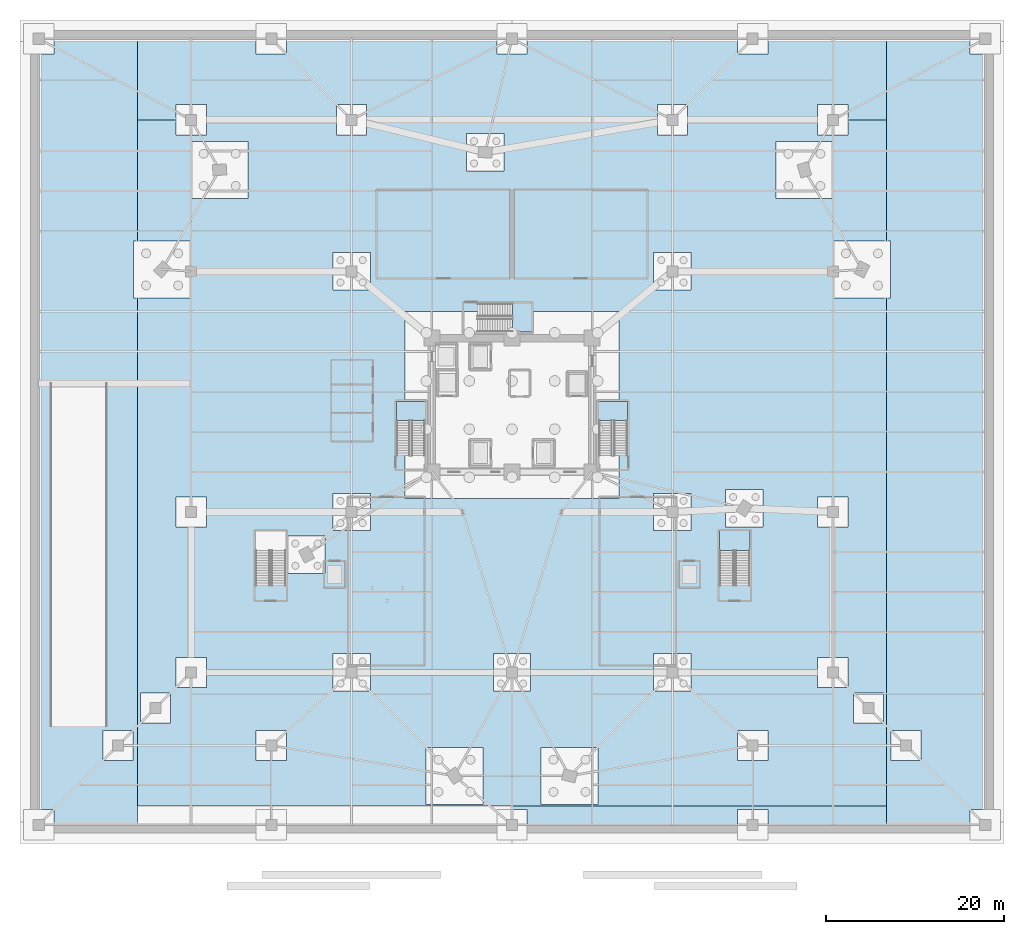
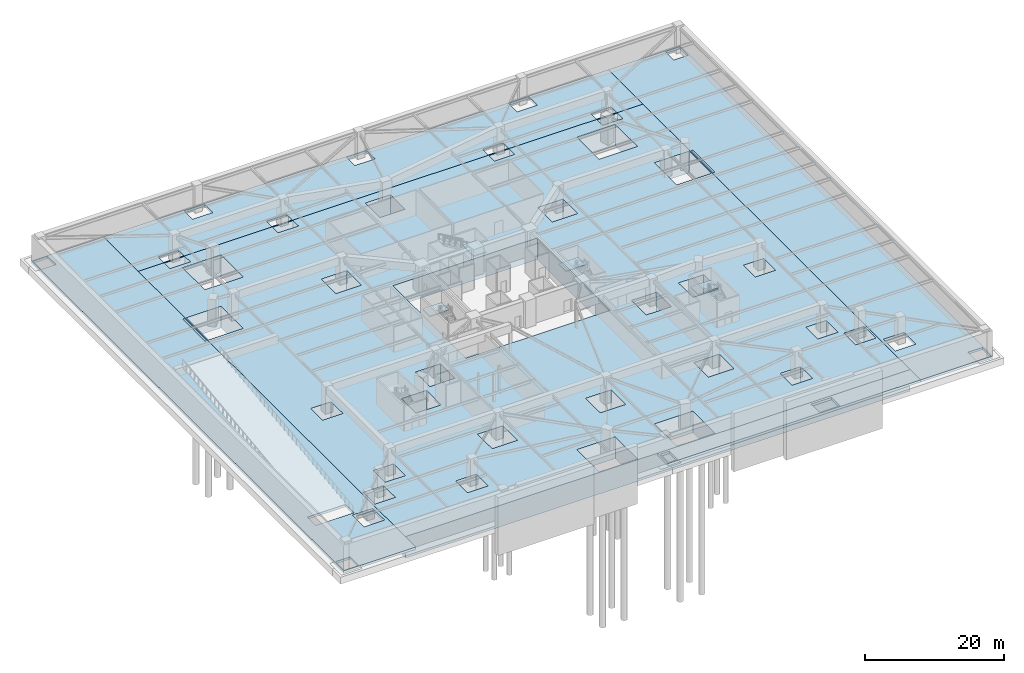
# One storey, part 7 of 19: 9 slabs, 4 elements without a shape of their own.
"""IFC4 building model written with IfcOpenShell, lengths in metres."""

import ifcopenshell
import ifcopenshell.guid

model = None  # the IFC model being written
_history = None  # IfcOwnerHistory: only IFC2X3 demands one
_inside = {}  # id of a spatial element -> (the spatial element, [elements in it])
_under = {}  # id of a project, library or spatial element -> (it, [spatial elements below it])
_declared = {}  # id of a project -> (the project, [libraries it declares])
_typed = {}  # id of a type object -> (the type object, [elements of that type])
_made_of = {}  # id of a material, layer set ... -> (it, [elements and type objects made of it])


def new_model(schema):
    """Start an empty IFC model of exactly this schema.

    Asked for "IFC4X3", IfcOpenShell would pick the latest addendum, in which some entities
    have other attributes; the version numbers below select the first issue.
    IFC2X3 requires an IfcOwnerHistory on every rooted entity: one is made here for all.
    """
    global model, _history
    if schema == "IFC4X3":
        model = ifcopenshell.file(schema_version=(4, 3, 0, 0))
    else:
        model = ifcopenshell.file(schema=schema)
    _inside.clear()
    _under.clear()
    _declared.clear()
    _typed.clear()
    _made_of.clear()
    _history = None
    if model.schema == "IFC2X3":
        org = make("IfcOrganization", Name="unknown")
        user = make(
            "IfcPersonAndOrganization",
            ThePerson=make("IfcPerson", FamilyName="unknown"),
            TheOrganization=org,
        )
        app = make(
            "IfcApplication",
            ApplicationDeveloper=org,
            Version="unknown",
            ApplicationFullName="unknown",
            ApplicationIdentifier="unknown",
        )
        _history = make(
            "IfcOwnerHistory",
            OwningUser=user,
            OwningApplication=app,
            ChangeAction="ADDED",
            CreationDate=0,
        )
    return model


def make(cls, **values):
    """One entity of the class cls with the attributes given. An attribute that is None is left unset."""
    return model.create_entity(
        cls, **{name: value for name, value in values.items() if value is not None}
    )


def rooted(cls, **values):
    """An entity with a GlobalId (a new one), such as an element, a storey or a relation."""
    return make(cls, GlobalId=ifcopenshell.guid.new(), OwnerHistory=_history, **values)


def si_unit(unit_type, name, prefix=None):
    """IfcSIUnit, for example si_unit("LENGTHUNIT", "METRE", prefix="MILLI")."""
    return make("IfcSIUnit", UnitType=unit_type, Prefix=prefix, Name=name)


def assignment(units):
    """IfcUnitAssignment: the units of a project."""
    return None if units is None else make("IfcUnitAssignment", Units=units)


def point(xyz):
    """IfcCartesianPoint."""
    return None if xyz is None else make("IfcCartesianPoint", Coordinates=xyz)


def direction(xyz):
    """IfcDirection."""
    return None if xyz is None else make("IfcDirection", DirectionRatios=xyz)


def frame(location, z_axis=None, x_axis=None):
    """IfcAxis2Placement3D, a coordinate frame: its origin and axes. An axis left out is left unset."""
    return make(
        "IfcAxis2Placement3D",
        Location=point(location),
        Axis=direction(z_axis),
        RefDirection=direction(x_axis),
    )


def origin():
    """The frame at (0, 0, 0) with its axes left unset."""
    return frame((0.0, 0.0, 0.0))


def place(relative_to, where):
    """IfcLocalPlacement: puts the frame where relative to a parent placement (None: the world)."""
    return make(
        "IfcLocalPlacement", PlacementRelTo=relative_to, RelativePlacement=where
    )


def context(
    kind, dimensions, precision=None, world=None, true_north=None, identifier=None
):
    """IfcGeometricRepresentationContext, for example the 3D "Model" context."""
    return make(
        "IfcGeometricRepresentationContext",
        ContextIdentifier=identifier,
        ContextType=kind,
        CoordinateSpaceDimension=dimensions,
        Precision=precision,
        WorldCoordinateSystem=world,
        TrueNorth=true_north,
    )


def subcontext(parent, identifier, kind, view, scale=None):
    """IfcGeometricRepresentationSubContext, for example "Body" below "Model"."""
    return make(
        "IfcGeometricRepresentationSubContext",
        ContextIdentifier=identifier,
        ContextType=kind,
        ParentContext=parent,
        TargetScale=scale,
        TargetView=view,
    )


def project(units=None, contexts=None):
    """IfcProject with its units and contexts."""
    return rooted(
        "IfcProject",
        Name="project",
        RepresentationContexts=contexts,
        UnitsInContext=assignment(units),
    )


def spatial(cls, under=None, at=None, **own):
    """A site, building, storey or space (cls), placed at a placement, below another one or the project."""
    s = rooted(cls, ObjectPlacement=at, **own)
    if under is not None:
        _under.setdefault(under.id(), (under, []))[1].append(s)
    return s


def polyline(points):
    """IfcPolyline through the points."""
    return make("IfcPolyline", Points=[point(p) for p in points])


def outline(outer, holes=None, kind="AREA"):
    """IfcArbitraryClosedProfileDef: a profile drawn as a closed curve; with holes, ...WithVoids."""
    if holes is None:
        return make("IfcArbitraryClosedProfileDef", ProfileType=kind, OuterCurve=outer)
    return make(
        "IfcArbitraryProfileDefWithVoids",
        ProfileType=kind,
        OuterCurve=outer,
        InnerCurves=holes,
    )


def extrude(swept, where, along, depth):
    """IfcExtrudedAreaSolid: the profile swept, set in the frame where, extruded along a direction by depth."""
    return make(
        "IfcExtrudedAreaSolid",
        SweptArea=swept,
        Position=where,
        ExtrudedDirection=direction(along),
        Depth=depth,
    )


def shape(context_of_items, identifier, shape_type, items):
    """IfcShapeRepresentation: the items that make up one representation, for example the "Body"."""
    return make(
        "IfcShapeRepresentation",
        ContextOfItems=context_of_items,
        RepresentationIdentifier=identifier,
        RepresentationType=shape_type,
        Items=items,
    )


def material(Name=None, Category=None):
    """IfcMaterial."""
    return make("IfcMaterial", Name=Name, Category=Category)


def layer(
    of_material, thickness, ventilated=None, Name=None, Category=None, Priority=None
):
    """IfcMaterialLayer: one layer of a wall or slab, of a material (None: an air gap)."""
    return make(
        "IfcMaterialLayer",
        Material=of_material,
        LayerThickness=thickness,
        IsVentilated=ventilated,
        Name=Name,
        Category=Category,
        Priority=Priority,
    )


def layer_set(layers, Name=None):
    """IfcMaterialLayerSet."""
    return make("IfcMaterialLayerSet", MaterialLayers=layers, LayerSetName=Name)


def made_of(thing, what):
    """Note that an element or type object is made of a material, layer set ...; save() writes the relation."""
    if what is not None:
        _made_of.setdefault(what.id(), (what, []))[1].append(thing)
    return thing


def type_object(cls, material=None, **own):
    """A type object (cls), such as IfcWallType, which elements share."""
    return made_of(rooted(cls, **own), material)


def element(
    cls,
    number,
    at=None,
    inside=None,
    cuts=None,
    type_object=None,
    material=None,
    context=None,
    identifier="Body",
    shape_type=None,
    held_by="IfcProductDefinitionShape",
    body=None,
    shapes=None,
    **own,
):
    """One element of the class cls, such as IfcWall. Its Tag is "e" and its number.

    at: its placement. inside: the storey or other place that contains it. cuts: it is an
    opening in that element (IfcRelVoidsElement). A single representation is given by context,
    identifier, shape_type and body (its items); several are given by shapes. held_by: the class
    of the entity that holds the representations. save() writes the other relations.
    """
    e = rooted(cls, Tag="e%d" % number, ObjectPlacement=at, **own)
    if body is not None:
        shapes = [shape(context, identifier, shape_type, body)]
    if shapes is not None:
        e.Representation = make(held_by, Representations=shapes)
    if inside is not None:
        _inside.setdefault(inside.id(), (inside, []))[1].append(e)
    if cuts is not None:
        rooted(
            "IfcRelVoidsElement", RelatingBuildingElement=cuts, RelatedOpeningElement=e
        )
    if type_object is not None:
        _typed.setdefault(type_object.id(), (type_object, []))[1].append(e)
    return made_of(e, material)


def aggregate(whole, parts):
    """IfcRelAggregates: a whole, such as a stair, and the parts it consists of."""
    return rooted("IfcRelAggregates", RelatingObject=whole, RelatedObjects=parts)


def save(model, path):
    """Write the relations noted so far, then the file.

    IfcRelAggregates (storeys below a building ...), IfcRelContainedInSpatialStructure (elements
    in a storey), IfcRelDefinesByType, IfcRelAssociatesMaterial and IfcRelDeclares: one each for
    every whole, place, type object, material and project.
    """
    for whole, parts in _under.values():
        aggregate(whole, parts)
    for where, things in _inside.values():
        rooted(
            "IfcRelContainedInSpatialStructure",
            RelatedElements=things,
            RelatingStructure=where,
        )
    for kind, things in _typed.values():
        rooted("IfcRelDefinesByType", RelatedObjects=things, RelatingType=kind)
    for what, things in _made_of.values():
        rooted("IfcRelAssociatesMaterial", RelatedObjects=things, RelatingMaterial=what)
    for by, libraries in _declared.values():
        rooted("IfcRelDeclares", RelatingContext=by, RelatedDefinitions=libraries)
    model.write(path)


model = new_model("IFC4")

# Units and contexts
model_context = context("Model", 3, precision=1e-05, world=origin(), true_north=direction((0.0, 1.0)))
body_context = subcontext(model_context, "Body", "Model", "MODEL_VIEW")
ifc_project = project(units=[si_unit("LENGTHUNIT", "METRE"), si_unit("AREAUNIT", "SQUARE_METRE"), si_unit("VOLUMEUNIT", "CUBIC_METRE"), si_unit("PLANEANGLEUNIT", "RADIAN"), si_unit("MASSUNIT", "GRAM", prefix="KILO")], contexts=[model_context])

# Site, building, storey
site_placement = place(None, origin())
site = spatial("IfcSite", under=ifc_project, at=site_placement, CompositionType="ELEMENT")
building_placement = place(site_placement, origin())
building = spatial("IfcBuilding", under=site, at=building_placement, Name="Liaohun Quay Tower", CompositionType="ELEMENT")
storey_placement = place(building_placement, frame((0.0, 0.0, -9.60009765625)))
storey = spatial("IfcBuildingStorey", under=building, at=storey_placement, Name="B2", CompositionType="ELEMENT", Elevation=-9.60009765625)

# Slabs
ifc_material_1 = material(Name="Concrete C45", Category="concrete")
ifc_layer_1 = layer(ifc_material_1, 0.419921875, Name="Concrete C45", Category="concrete")
ifc_layer_set_1 = layer_set([ifc_layer_1], Name="Concrete C45")
slab_type_1 = type_object("IfcSlabType", Name="SLB-BAS-420", PredefinedType="BASESLAB", material=ifc_layer_set_1)
slab_1_placement = place(storey_placement, frame((0.0, 0.0, -0.419921875)))
element("IfcSlab", 1, at=slab_1_placement, inside=storey, type_object=slab_type_1, Name="B2 Waterproof Basement Base Slab W", PredefinedType="BASESLAB", context=body_context, shape_type="SweptSolid", body=[
    extrude(outline(polyline([(6.0, 6.0), (18.0, 6.0), (18.0, 96.0), (6.0, 96.0), (6.0, 6.0)]), holes=[polyline([(8.60009765625, 6.179931640625), (8.60009765625, 8.60009765625), (6.179931640625, 8.60009765625), (6.179931640625, 6.179931640625), (8.60009765625, 6.179931640625)]), polyline([(14.10009765625, 17.5), (14.10009765625, 14.10009765625), (17.5, 14.10009765625), (17.5, 17.5), (14.10009765625, 17.5)]), polyline([(8.219970703125, 20.320068359375), (8.219970703125, 17.919921875), (14.580078125, 17.919921875), (14.580078125, 20.320068359375), (8.219970703125, 20.320068359375)]), polyline([(17.820068359375, 72.4169921875), (17.548095703125, 72.4169921875), (17.548095703125, 66.01708984375), (17.820068359375, 66.01708984375), (17.820068359375, 72.4169921875)]), polyline([(6.179931640625, 95.820068359375), (6.179931640625, 93.39990234375), (8.60009765625, 93.39990234375), (8.60009765625, 95.820068359375), (6.179931640625, 95.820068359375)])]), origin(), (0.0, 0.0, 1.0), 0.419921875),
])
slab_2_placement = place(storey_placement, frame((0.0, 0.0, -0.419921875)))
element("IfcSlab", 2, at=slab_2_placement, inside=storey, type_object=slab_type_1, Name="B2 Waterproof Basement Base Slab E", PredefinedType="BASESLAB", context=body_context, shape_type="SweptSolid", body=[
    extrude(outline(polyline([(102.0, 6.0), (114.0, 6.0), (114.0, 96.0), (102.0, 96.0), (102.0, 6.0)]), holes=[polyline([(113.820068359375, 8.60009765625), (111.39990234375, 8.60009765625), (111.39990234375, 6.179931640625), (113.820068359375, 6.179931640625), (113.820068359375, 8.60009765625)]), polyline([(102.5, 17.5), (102.5, 14.10009765625), (105.89990234375, 14.10009765625), (105.89990234375, 17.5), (102.5, 17.5)]), polyline([(102.4560546875, 66.011962890625), (102.4560546875, 72.412109375), (102.179931640625, 72.412109375), (102.179931640625, 66.011962890625), (102.4560546875, 66.011962890625)]), polyline([(111.39990234375, 95.820068359375), (111.39990234375, 93.39990234375), (113.820068359375, 93.39990234375), (113.820068359375, 95.820068359375), (111.39990234375, 95.820068359375)])]), origin(), (0.0, 0.0, 1.0), 0.419921875),
])
slab_3_placement = place(storey_placement, frame((0.0, 0.0, -0.419921875)))
element("IfcSlab", 3, at=slab_3_placement, inside=storey, type_object=slab_type_1, Name="B2 Waterproof Basement Base Slab S2", PredefinedType="BASESLAB", context=body_context, shape_type="SweptSolid", body=[
    extrude(outline(polyline([(60.0, 6.0), (102.0, 6.0), (102.0, 9.0), (60.0, 9.0), (60.0, 6.0)]), holes=[polyline([(61.699951171875, 8.60009765625), (60.179931640625, 8.60009765625), (60.179931640625, 6.179931640625), (61.699951171875, 6.179931640625), (61.699951171875, 8.60009765625)]), polyline([(85.300048828125, 8.60009765625), (85.300048828125, 6.179931640625), (88.699951171875, 6.179931640625), (88.699951171875, 8.60009765625), (85.300048828125, 8.60009765625)])]), origin(), (0.0, 0.0, 1.0), 0.419921875),
])
slab_4_placement = place(storey_placement, frame((0.0, 0.0, -0.419921875)))
element("IfcSlab", 4, at=slab_4_placement, inside=storey, type_object=slab_type_1, Name="B2 Waterproof Basement Base Slab N", PredefinedType="BASESLAB", context=body_context, shape_type="SweptSolid", body=[
    extrude(outline(polyline([(18.0, 86.0), (102.0, 86.0), (102.0, 96.0), (18.0, 96.0), (18.0, 86.0)]), holes=[polyline([(25.699951171875, 87.699951171875), (22.300048828125, 87.699951171875), (22.300048828125, 86.179931640625), (25.699951171875, 86.179931640625), (25.699951171875, 87.699951171875)]), polyline([(43.699951171875, 86.179931640625), (43.699951171875, 87.699951171875), (40.300048828125, 87.699951171875), (40.300048828125, 86.179931640625), (43.699951171875, 86.179931640625)]), polyline([(79.699951171875, 86.179931640625), (79.699951171875, 87.699951171875), (76.300048828125, 87.699951171875), (76.300048828125, 86.179931640625), (79.699951171875, 86.179931640625)]), polyline([(97.699951171875, 86.179931640625), (97.699951171875, 87.699951171875), (94.300048828125, 87.699951171875), (94.300048828125, 86.179931640625), (97.699951171875, 86.179931640625)]), polyline([(31.300048828125, 95.820068359375), (31.300048828125, 93.39990234375), (34.699951171875, 93.39990234375), (34.699951171875, 95.820068359375), (31.300048828125, 95.820068359375)]), polyline([(58.300048828125, 95.820068359375), (58.300048828125, 93.39990234375), (61.699951171875, 93.39990234375), (61.699951171875, 95.820068359375), (58.300048828125, 95.820068359375)]), polyline([(85.300048828125, 95.820068359375), (85.300048828125, 93.39990234375), (88.699951171875, 93.39990234375), (88.699951171875, 95.820068359375), (85.300048828125, 95.820068359375)])]), origin(), (0.0, 0.0, 1.0), 0.419921875),
])

# Stair, slab
stair_type_1 = type_object("IfcStairType", Name="STR-CORE-CRN", PredefinedType="HALF_TURN_STAIR", material=ifc_material_1)
stair_1_placement = place(storey_placement, origin())
stair_1 = element("IfcStair", 5, at=stair_1_placement, inside=storey, type_object=stair_type_1, Name="B2 Smokeproof Core Exit Stair ST-1", PredefinedType="HALF_TURN_STAIR")
ifc_layer_2 = layer(ifc_material_1, 0.199951171875, Name="Concrete C45", Category="concrete")
ifc_layer_set_2 = layer_set([ifc_layer_2], Name="Concrete C45")
slab_type_2 = type_object("IfcSlabType", Name="SLB-LND-200", PredefinedType="LANDING", material=ifc_layer_set_2)
slab_5_placement = place(storey_placement, frame((0.0, 0.0, 2.2001953125)))
slab_5 = element("IfcSlab", 6, at=slab_5_placement, type_object=slab_type_2, Name="ST-1 landing 1", PredefinedType="LANDING", context=body_context, shape_type="SweptSolid", body=[
    extrude(outline(polyline([(50.280029296875, 52.27001953125), (50.280029296875, 54.419921875), (47.0400390625, 54.419921875), (47.0400390625, 52.27001953125), (50.280029296875, 52.27001953125)])), origin(), (0.0, 0.0, 1.0), 0.199951171875),
])
aggregate(stair_1, [slab_5])

stair_2_placement = place(storey_placement, origin())
stair_2 = element("IfcStair", 7, at=stair_2_placement, inside=storey, type_object=stair_type_1, Name="B2 Smokeproof Core Exit Stair ST-2", PredefinedType="HALF_TURN_STAIR")
slab_6_placement = place(storey_placement, frame((0.0, 0.0, 2.2001953125)))
slab_6 = element("IfcSlab", 8, at=slab_6_placement, type_object=slab_type_2, Name="ST-2 landing 1", PredefinedType="LANDING", context=body_context, shape_type="SweptSolid", body=[
    extrude(outline(polyline([(72.9599609375, 52.27001953125), (72.9599609375, 54.419921875), (69.719970703125, 54.419921875), (69.719970703125, 52.27001953125), (72.9599609375, 52.27001953125)])), origin(), (0.0, 0.0, 1.0), 0.199951171875),
])
aggregate(stair_2, [slab_6])

stair_3_placement = place(storey_placement, origin())
stair_3 = element("IfcStair", 9, at=stair_3_placement, inside=storey, type_object=stair_type_1, Name="B2 Smokeproof Core Exit Stair ST-3", PredefinedType="HALF_TURN_STAIR")
slab_7_placement = place(storey_placement, frame((0.0, 0.0, 2.2001953125)))
slab_7 = element("IfcSlab", 10, at=slab_7_placement, type_object=slab_type_2, Name="ST-3 landing 1", PredefinedType="LANDING", context=body_context, shape_type="SweptSolid", body=[
    extrude(outline(polyline([(60.070068359375, 62.199951171875), (62.219970703125, 62.199951171875), (62.219970703125, 65.43994140625), (60.070068359375, 65.43994140625), (60.070068359375, 62.199951171875)])), origin(), (0.0, 0.0, 1.0), 0.199951171875),
])
aggregate(stair_3, [slab_7])

stair_type_2 = type_object("IfcStairType", Name="STR-POD-EXIT", PredefinedType="TWO_STRAIGHT_RUN_STAIR", material=ifc_material_1)
stair_4_placement = place(storey_placement, origin())
stair_4 = element("IfcStair", 11, at=stair_4_placement, inside=storey, type_object=stair_type_2, Name="B2 Podium Smokeproof Exit Stair ST-P2", PredefinedType="TWO_STRAIGHT_RUN_STAIR")
slab_8_placement = place(storey_placement, frame((0.0, 0.0, 2.2001953125)))
slab_8 = element("IfcSlab", 12, at=slab_8_placement, type_object=slab_type_2, Name="ST-P2 landing 1", PredefinedType="LANDING", context=body_context, shape_type="SweptSolid", body=[
    extrude(outline(polyline([(86.699951171875, 37.669921875), (86.699951171875, 39.89990234375), (83.260009765625, 39.89990234375), (83.260009765625, 37.669921875), (86.699951171875, 37.669921875)])), origin(), (0.0, 0.0, 1.0), 0.199951171875),
])
aggregate(stair_4, [slab_8])

# Slab
ifc_material_2 = material(Name="Concrete C50", Category="concrete")
ifc_layer_3 = layer(ifc_material_2, 3.800048828125, Name="Concrete C50", Category="concrete")
ifc_layer_set_3 = layer_set([ifc_layer_3], Name="Concrete C50")
slab_type_3 = type_object("IfcSlabType", Name="SLB-RAFT-3800", PredefinedType="BASESLAB", material=ifc_layer_set_3)
slab_9_placement = place(storey_placement, frame((0.0, 0.0, -3.7998046875)))
element("IfcSlab", 13, at=slab_9_placement, inside=storey, type_object=slab_type_3, Name="B2 Central Tower Piled Raft RS-1", PredefinedType="BASESLAB", context=body_context, shape_type="SweptSolid", body=[
    extrude(outline(polyline([(18.0, 9.0), (102.0, 9.0), (102.0, 86.0), (18.0, 86.0), (18.0, 9.0)]), holes=[polyline([(56.74609375, 9.197021484375), (56.74609375, 15.596923828125), (50.345947265625, 15.596923828125), (50.345947265625, 9.197021484375), (56.74609375, 9.197021484375)]), polyline([(31.300048828125, 14.10009765625), (34.699951171875, 14.10009765625), (34.699951171875, 17.5), (31.300048828125, 17.5), (31.300048828125, 14.10009765625)]), polyline([(18.300048828125, 18.300048828125), (21.699951171875, 18.300048828125), (21.699951171875, 21.699951171875), (18.300048828125, 21.699951171875), (18.300048828125, 18.300048828125)]), polyline([(22.300048828125, 22.300048828125), (25.699951171875, 22.300048828125), (25.699951171875, 25.699951171875), (22.300048828125, 25.699951171875), (22.300048828125, 22.300048828125)]), polyline([(39.89990234375, 21.89990234375), (44.10009765625, 21.89990234375), (44.10009765625, 26.10009765625), (39.89990234375, 26.10009765625), (39.89990234375, 21.89990234375)]), polyline([(34.841064453125, 35.116943359375), (39.041015625, 35.116943359375), (39.041015625, 39.31689453125), (34.841064453125, 39.31689453125), (34.841064453125, 35.116943359375)]), polyline([(22.300048828125, 40.300048828125), (25.699951171875, 40.300048828125), (25.699951171875, 43.699951171875), (22.300048828125, 43.699951171875), (22.300048828125, 40.300048828125)]), polyline([(44.10009765625, 39.89990234375), (44.10009765625, 44.10009765625), (39.89990234375, 44.10009765625), (39.89990234375, 39.89990234375), (44.10009765625, 39.89990234375)]), polyline([(48.0, 43.5), (72.0, 43.5), (72.0, 64.5), (48.0, 64.5), (48.0, 43.5)]), polyline([(39.89990234375, 66.89990234375), (44.10009765625, 66.89990234375), (44.10009765625, 71.10009765625), (39.89990234375, 71.10009765625), (39.89990234375, 66.89990234375)]), polyline([(23.947998046875, 72.4169921875), (18.179931640625, 72.4169921875), (18.179931640625, 66.01708984375), (23.947998046875, 66.01708984375), (23.947998046875, 72.4169921875)]), polyline([(23.9990234375, 77.19091796875), (30.39892578125, 77.19091796875), (30.39892578125, 83.591064453125), (23.9990234375, 83.591064453125), (23.9990234375, 77.19091796875)]), polyline([(54.89501953125, 80.260009765625), (59.094970703125, 80.260009765625), (59.094970703125, 84.4599609375), (54.89501953125, 84.4599609375), (54.89501953125, 80.260009765625)]), polyline([(25.699951171875, 84.300048828125), (25.699951171875, 85.820068359375), (22.300048828125, 85.820068359375), (22.300048828125, 84.300048828125), (25.699951171875, 84.300048828125)]), polyline([(43.699951171875, 85.820068359375), (40.300048828125, 85.820068359375), (40.300048828125, 84.300048828125), (43.699951171875, 84.300048828125), (43.699951171875, 85.820068359375)]), polyline([(63.248046875, 9.198974609375), (69.64794921875, 9.198974609375), (69.64794921875, 15.59912109375), (63.248046875, 15.59912109375), (63.248046875, 9.198974609375)]), polyline([(85.300048828125, 14.10009765625), (88.699951171875, 14.10009765625), (88.699951171875, 17.5), (85.300048828125, 17.5), (85.300048828125, 14.10009765625)]), polyline([(98.300048828125, 18.300048828125), (101.699951171875, 18.300048828125), (101.699951171875, 21.699951171875), (98.300048828125, 21.699951171875), (98.300048828125, 18.300048828125)]), polyline([(57.89990234375, 21.89990234375), (62.10009765625, 21.89990234375), (62.10009765625, 26.10009765625), (57.89990234375, 26.10009765625), (57.89990234375, 21.89990234375)]), polyline([(75.89990234375, 21.89990234375), (80.10009765625, 21.89990234375), (80.10009765625, 26.10009765625), (75.89990234375, 26.10009765625), (75.89990234375, 21.89990234375)]), polyline([(94.300048828125, 22.300048828125), (97.699951171875, 22.300048828125), (97.699951171875, 25.699951171875), (94.300048828125, 25.699951171875), (94.300048828125, 22.300048828125)]), polyline([(75.89990234375, 39.89990234375), (80.10009765625, 39.89990234375), (80.10009765625, 44.10009765625), (75.89990234375, 44.10009765625), (75.89990234375, 39.89990234375)]), polyline([(94.300048828125, 40.300048828125), (97.699951171875, 40.300048828125), (97.699951171875, 43.699951171875), (94.300048828125, 43.699951171875), (94.300048828125, 40.300048828125)]), polyline([(83.964111328125, 40.322998046875), (88.1640625, 40.322998046875), (88.1640625, 44.52294921875), (83.964111328125, 44.52294921875), (83.964111328125, 40.322998046875)]), polyline([(75.89990234375, 66.89990234375), (80.10009765625, 66.89990234375), (80.10009765625, 71.10009765625), (75.89990234375, 71.10009765625), (75.89990234375, 66.89990234375)]), polyline([(96.055908203125, 66.011962890625), (101.820068359375, 66.011962890625), (101.820068359375, 72.412109375), (96.055908203125, 72.412109375), (96.055908203125, 66.011962890625)]), polyline([(89.60302734375, 77.18408203125), (96.0029296875, 77.18408203125), (96.0029296875, 83.583984375), (89.60302734375, 83.583984375), (89.60302734375, 77.18408203125)]), polyline([(79.699951171875, 84.300048828125), (79.699951171875, 85.820068359375), (76.300048828125, 85.820068359375), (76.300048828125, 84.300048828125), (79.699951171875, 84.300048828125)]), polyline([(97.699951171875, 84.300048828125), (97.699951171875, 85.820068359375), (94.300048828125, 85.820068359375), (94.300048828125, 84.300048828125), (97.699951171875, 84.300048828125)])]), origin(), (0.0, 0.0, 1.0), 3.7998046875),
])

save(model, "model.ifc")
